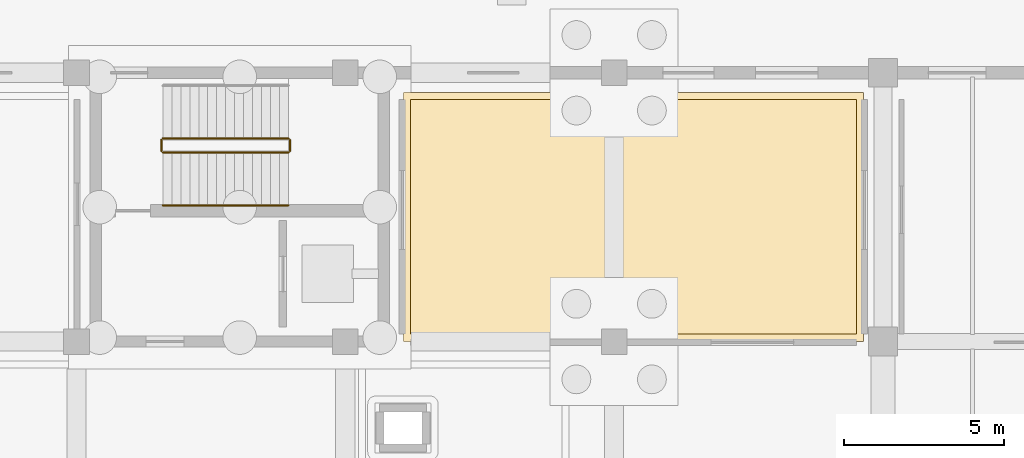
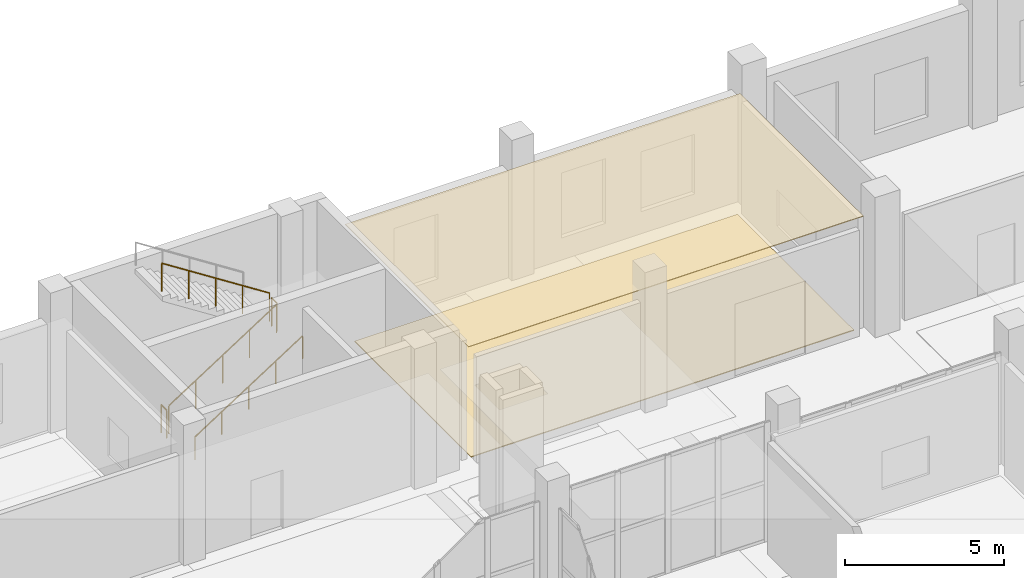
# One storey, part 59 of 65: 5 railings, 2 coverings.
"""IFC4 building model written with IfcOpenShell, lengths in metres."""

from ifc_helpers import new_model, si_unit, direction, frame, origin, origin_2d, place, context, subcontext, project, spatial, polyline, circle, outline, extrude, material, layer, layer_set, type_object, element, save


model = new_model("IFC4")

# Units and contexts
model_context = context("Model", 3, precision=1e-05, world=origin(), true_north=direction((0.0, 1.0)))
body_context = subcontext(model_context, "Body", "Model", "MODEL_VIEW")
ifc_project = project(units=[si_unit("LENGTHUNIT", "METRE"), si_unit("AREAUNIT", "SQUARE_METRE"), si_unit("VOLUMEUNIT", "CUBIC_METRE"), si_unit("PLANEANGLEUNIT", "RADIAN"), si_unit("MASSUNIT", "GRAM", prefix="KILO")], contexts=[model_context])

# Site, building, storey
site_placement = place(None, origin())
site = spatial("IfcSite", under=ifc_project, at=site_placement, CompositionType="ELEMENT")
building_placement = place(site_placement, origin())
building = spatial("IfcBuilding", under=site, at=building_placement, Name="Zulmaris Art Gallery", CompositionType="ELEMENT")
storey_placement = place(building_placement, origin())
storey = spatial("IfcBuildingStorey", under=building, at=storey_placement, Name="L00", CompositionType="ELEMENT", Elevation=0.0)

# Coverings
ifc_material_1 = material(Name="Luminous UV-Diffusing Stretched Gallery Ceiling", Category="gypsum")
ifc_layer_1 = layer(ifc_material_1, 0.034912109375)
ifc_layer_set_1 = layer_set([ifc_layer_1], Name="Luminous UV-Diffusing Stretched Gallery Ceiling")
covering_type_1 = type_object("IfcCoveringType", Name="COV-CL02", PredefinedType="CEILING", material=ifc_layer_set_1)
covering_1_placement = place(storey_placement, frame((0.0, 0.0, 4.449951171875)))
element("IfcCovering", 1, at=covering_1_placement, inside=storey, type_object=covering_type_1, Name="Decorative Arts & Silverwork Gallery acoustic ceiling", PredefinedType="CEILING", context=body_context, shape_type="SweptSolid", body=[
    extrude(outline(polyline([(126.610107421875, 74.989990234375), (140.989990234375, 74.989990234375), (140.989990234375, 67.2099609375), (126.610107421875, 67.2099609375), (126.610107421875, 74.989990234375)])), origin(), (0.0, 0.0, 1.0), 0.030029296875),
])
ifc_material_2 = material(Name="Oiled European Oak Gallery Parquet Flooring", Category="timber")
ifc_layer_2 = layer(ifc_material_2, 0.030029296875)
ifc_layer_set_2 = layer_set([ifc_layer_2], Name="Oiled European Oak Gallery Parquet Flooring")
covering_type_2 = type_object("IfcCoveringType", Name="COV-FL02", PredefinedType="FLOORING", material=ifc_layer_set_2)
covering_2_placement = place(storey_placement, origin())
element("IfcCovering", 2, at=covering_2_placement, inside=storey, type_object=covering_type_2, Name="Decorative Arts & Silverwork Gallery finish flooring", PredefinedType="FLOORING", context=body_context, shape_type="SweptSolid", body=[
    extrude(outline(polyline([(140.77001953125, 67.429931640625), (126.830078125, 67.429931640625), (126.830078125, 74.77001953125), (140.77001953125, 74.77001953125), (140.77001953125, 67.429931640625)])), origin(), (0.0, 0.0, 1.0), 0.034912109375),
])

# Railings
ifc_material_3 = material(Name="Steel S355J2", Category="steel")
ifc_layer_3 = layer(ifc_material_3, 0.050048828125)
ifc_layer_set_3 = layer_set([ifc_layer_3], Name="Steel S355J2")
railing_type_1 = type_object("IfcRailingType", Name="RAIL-STGRD", PredefinedType="GUARDRAIL", material=ifc_layer_set_3)
railing_1_placement = place(storey_placement, frame((119.10009765625, 73.110107421875, 0.179931640625)))
element("IfcRailing", 3, at=railing_1_placement, inside=storey, type_object=railing_type_1, Name="L00 ST5 stair guard 1", PredefinedType="GUARDRAIL", context=body_context, shape_type="SweptSolid", body=[
    extrude(circle(Radius=0.02392578125, at=origin_2d()), frame((0.0, 0.0, 1.076171875), z_axis=(0.841171666519, 0.0, 0.540768182723), x_axis=(0.0, 1.0, 0.0)), (0.0, 0.0, 1.0), 4.66015625),
    extrude(circle(Radius=0.02099609375, at=origin_2d()), origin(), (0.0, 0.0, 1.0), 1.052001953125),
    extrude(circle(Radius=0.02099609375, at=origin_2d()), frame((0.97998046875, 0.0, 0.6298828125)), (0.0, 0.0, 1.0), 1.052001953125),
    extrude(circle(Radius=0.02099609375, at=origin_2d()), frame((1.9599609375, 0.0, 1.260009765625)), (0.0, 0.0, 1.0), 1.052001953125),
    extrude(circle(Radius=0.02099609375, at=origin_2d()), frame((2.93994140625, 0.0, 1.89013671875)), (0.0, 0.0, 1.0), 1.052001953125),
    extrude(circle(Radius=0.02099609375, at=origin_2d()), frame((3.919921875, 0.0, 2.52001953125)), (0.0, 0.0, 1.0), 1.052001953125),
])
railing_2_placement = place(storey_placement, frame((123.070068359375, 73.159912109375, 2.699951171875)))
element("IfcRailing", 4, at=railing_2_placement, inside=storey, type_object=railing_type_1, Name="L00 ST5 stair guard 2", PredefinedType="GUARDRAIL", context=body_context, shape_type="SweptSolid", body=[
    extrude(circle(Radius=0.02392578125, at=origin_2d()), frame((0.0, 0.0, 1.076171875), z_axis=(0.0, 1.0, 0.0), x_axis=(-1.0, 0.0, 0.0)), (0.0, 0.0, 1.0), 0.340087890625),
    extrude(circle(Radius=0.02099609375, at=origin_2d()), origin(), (0.0, 0.0, 1.0), 1.052001953125),
    extrude(circle(Radius=0.02099609375, at=origin_2d()), frame((0.0, 0.340087890625, 0.0)), (0.0, 0.0, 1.0), 1.052001953125),
])
railing_3_placement = place(storey_placement, frame((123.02001953125, 73.550048828125, 2.8798828125)))
element("IfcRailing", 5, at=railing_3_placement, inside=storey, type_object=railing_type_1, Name="L00 ST5 stair guard 3", PredefinedType="GUARDRAIL", context=body_context, shape_type="SweptSolid", body=[
    extrude(circle(Radius=0.02392578125, at=origin_2d()), frame((0.0, 0.0, 1.076171875), z_axis=(-0.841171666519, 0.0, 0.540768182723), x_axis=(0.0, -1.0, 0.0)), (0.0, 0.0, 1.0), 4.66015625),
    extrude(circle(Radius=0.02099609375, at=origin_2d()), origin(), (0.0, 0.0, 1.0), 1.052001953125),
    extrude(circle(Radius=0.02099609375, at=origin_2d()), frame((-0.97998046875, 0.0, 0.6298828125)), (0.0, 0.0, 1.0), 1.052001953125),
    extrude(circle(Radius=0.02099609375, at=origin_2d()), frame((-1.9599609375, 0.0, 1.260009765625)), (0.0, 0.0, 1.0), 1.052001953125),
    extrude(circle(Radius=0.02099609375, at=origin_2d()), frame((-2.93994140625, 0.0, 1.89013671875)), (0.0, 0.0, 1.0), 1.052001953125),
    extrude(circle(Radius=0.02099609375, at=origin_2d()), frame((-3.919921875, 0.0, 2.52001953125)), (0.0, 0.0, 1.0), 1.052001953125),
])
railing_4_placement = place(storey_placement, frame((119.050048828125, 73.159912109375, 0.0)))
element("IfcRailing", 6, at=railing_4_placement, inside=storey, type_object=railing_type_1, Name="L00 ST5 stair guard 4", PredefinedType="GUARDRAIL", context=body_context, shape_type="SweptSolid", body=[
    extrude(circle(Radius=0.02392578125, at=origin_2d()), frame((0.0, 0.0, 1.076171875), z_axis=(0.0, 1.0, 0.0), x_axis=(-1.0, 0.0, 0.0)), (0.0, 0.0, 1.0), 0.340087890625),
    extrude(circle(Radius=0.02099609375, at=origin_2d()), origin(), (0.0, 0.0, 1.0), 1.052001953125),
    extrude(circle(Radius=0.02099609375, at=origin_2d()), frame((0.0, 0.340087890625, 0.0)), (0.0, 0.0, 1.0), 1.052001953125),
])
ifc_material_4 = material(Name="Brushed Bronze Handrail", Category="steel")
ifc_layer_4 = layer(ifc_material_4, 0.048095703125)
ifc_layer_set_4 = layer_set([ifc_layer_4], Name="Brushed Bronze Handrail")
railing_type_2 = type_object("IfcRailingType", Name="RAIL-STHND", PredefinedType="HANDRAIL", material=ifc_layer_set_4)
railing_5_placement = place(storey_placement, frame((119.10009765625, 71.4599609375, 0.179931640625)))
element("IfcRailing", 7, at=railing_5_placement, inside=storey, type_object=railing_type_2, Name="L00 ST5 stair handrail 1", PredefinedType="HANDRAIL", context=body_context, shape_type="SweptSolid", body=[
    extrude(circle(Radius=0.02392578125, at=origin_2d()), frame((0.0, 0.0, 0.8759765625), z_axis=(0.841171666519, 0.0, 0.540768182723), x_axis=(0.0, 1.0, 0.0)), (0.0, 0.0, 1.0), 4.66015625),
    extrude(circle(Radius=0.02099609375, at=origin_2d()), origin(), (0.0, 0.0, 1.0), 0.851806640625),
    extrude(circle(Radius=0.02099609375, at=origin_2d()), frame((0.97998046875, 0.0, 0.6298828125)), (0.0, 0.0, 1.0), 0.851806640625),
    extrude(circle(Radius=0.02099609375, at=origin_2d()), frame((1.9599609375, 0.0, 1.260009765625)), (0.0, 0.0, 1.0), 0.851806640625),
    extrude(circle(Radius=0.02099609375, at=origin_2d()), frame((2.93994140625, 0.0, 1.89013671875)), (0.0, 0.0, 1.0), 0.851806640625),
    extrude(circle(Radius=0.02099609375, at=origin_2d()), frame((3.919921875, 0.0, 2.52001953125)), (0.0, 0.0, 1.0), 0.851806640625),
])

save(model, "model.ifc")
